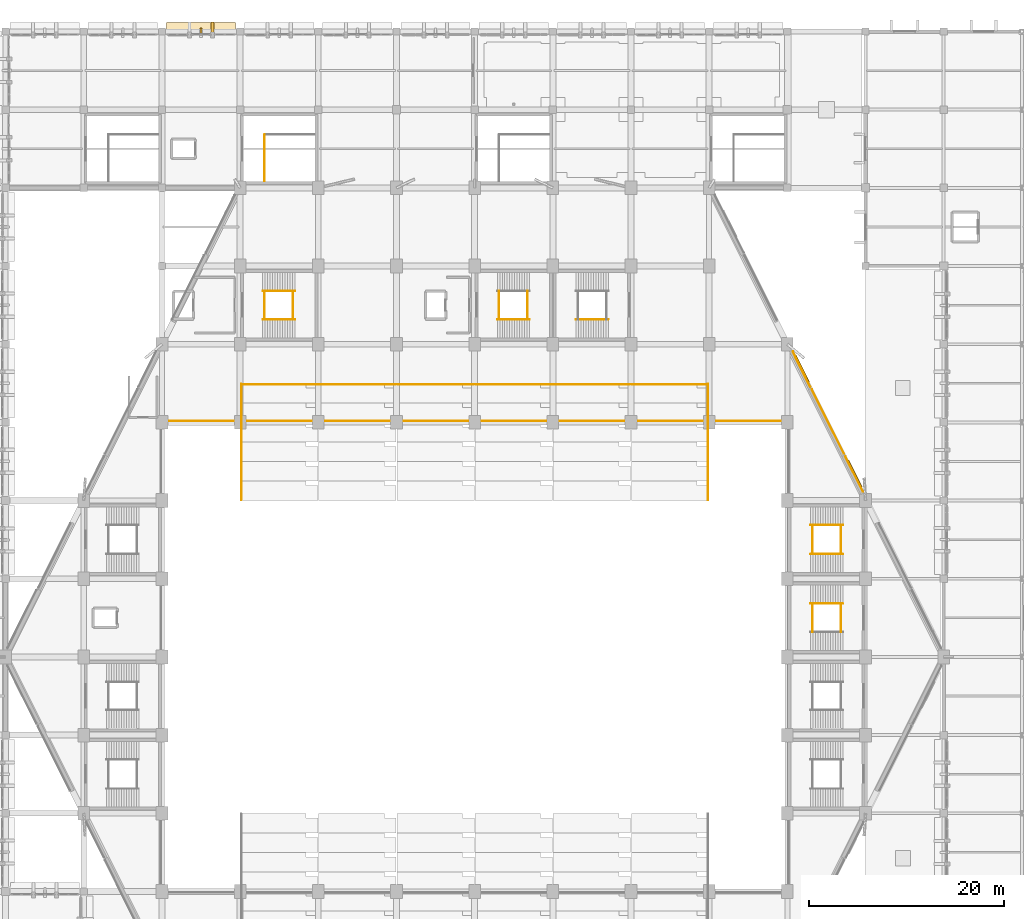
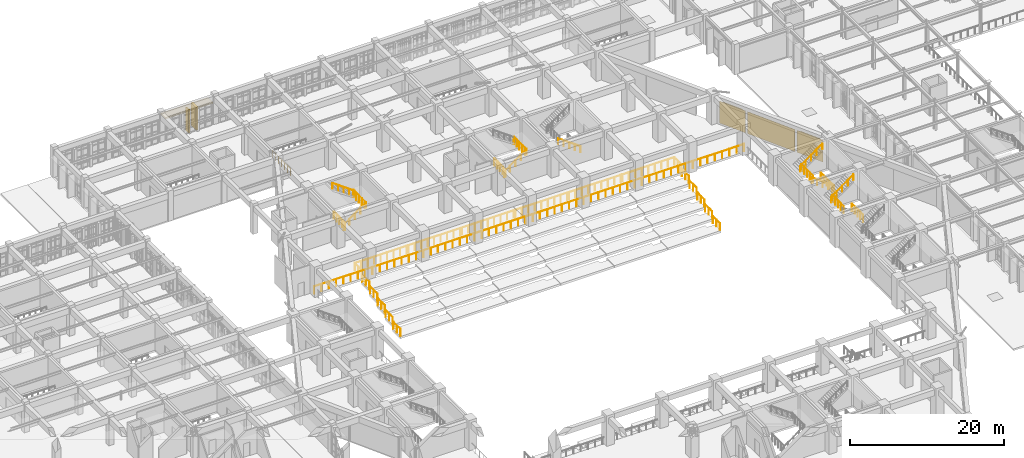
# One storey, part 152 of 155: 35 railings, 5 coverings, 3 shading devices.
"""IFC4 building model written with IfcOpenShell, lengths in metres."""

from ifc_helpers import new_model, si_unit, direction, frame, origin, origin_2d, place, context, subcontext, project, spatial, polyline, rectangle, circle, outline, extrude, material, layer, layer_set, type_object, element, save


model = new_model("IFC4")

# Units and contexts
model_context = context("Model", 3, precision=1e-05, world=origin(), true_north=direction((0.0, 1.0)))
body_context = subcontext(model_context, "Body", "Model", "MODEL_VIEW")
ifc_project = project(units=[si_unit("LENGTHUNIT", "METRE"), si_unit("AREAUNIT", "SQUARE_METRE"), si_unit("VOLUMEUNIT", "CUBIC_METRE"), si_unit("PLANEANGLEUNIT", "RADIAN"), si_unit("MASSUNIT", "GRAM", prefix="KILO")], contexts=[model_context])

# Site, building, storey
site_placement = place(None, origin())
site = spatial("IfcSite", under=ifc_project, at=site_placement, CompositionType="ELEMENT")
building_placement = place(site_placement, origin())
building = spatial("IfcBuilding", under=site, at=building_placement, Name="Tazarka Park Arena", CompositionType="ELEMENT")
storey_placement = place(building_placement, frame((0.0, 0.0, 5.39990234375)))
storey = spatial("IfcBuildingStorey", under=building, at=storey_placement, Name="L01", CompositionType="ELEMENT", Elevation=5.39990234375)

# Coverings
ifc_material_1 = material(Name="Dark ribbed perforated bronze-charcoal aluminium mesh", Category="aluminium")
ifc_layer_1 = layer(ifc_material_1, 0.06005859375, Name="Dark ribbed perforated bronze-charcoal aluminium mesh")
ifc_layer_set_1 = layer_set([ifc_layer_1], Name="Dark ribbed perforated bronze-charcoal aluminium mesh")
covering_type_1 = type_object("IfcCoveringType", Name="CLD-01", PredefinedType="CLADDING", material=ifc_layer_set_1)
covering_1_placement = place(storey_placement, frame((121.46044921875, 93.447998046875, 0.0), z_axis=(0.0, 0.0, 1.0), x_axis=(0.447290848419, -0.89438856037, 0.0)))
element("IfcCovering", 1, at=covering_1_placement, inside=storey, type_object=covering_type_1, Name="Ribbed Metal Mesh Cladding EW-L01-0166", PredefinedType="CLADDING", context=body_context, shape_type="SweptSolid", body=[
    extrude(rectangle(XDim=4.05078125, YDim=0.06005859375, at=origin_2d()), origin(), (0.0, 0.0, 1.0), 3.449951171875),
])
covering_2_placement = place(storey_placement, frame((124.156494140625, 88.078369140625, 0.0), z_axis=(0.0, 0.0, 1.0), x_axis=(0.447290848419, -0.89438856037, 0.0)))
element("IfcCovering", 2, at=covering_2_placement, inside=storey, type_object=covering_type_1, Name="Ribbed Metal Mesh Cladding EW-L01-0167", PredefinedType="CLADDING", context=body_context, shape_type="SweptSolid", body=[
    extrude(rectangle(XDim=7.36669921875, YDim=0.06005859375, at=origin_2d()), origin(), (0.0, 0.0, 1.0), 3.449951171875),
])
covering_3_placement = place(storey_placement, frame((126.8525390625, 82.70849609375, 0.0), z_axis=(0.0, 0.0, 1.0), x_axis=(0.447290848419, -0.89438856037, 0.0)))
element("IfcCovering", 3, at=covering_3_placement, inside=storey, type_object=covering_type_1, Name="Ribbed Metal Mesh Cladding EW-L01-0168", PredefinedType="CLADDING", context=body_context, shape_type="SweptSolid", body=[
    extrude(rectangle(XDim=4.05078125, YDim=0.06005859375, at=origin_2d()), origin(), (0.0, 0.0, 1.0), 3.449951171875),
])
covering_4_placement = place(storey_placement, frame((61.181640625, 128.330078125, 0.0), z_axis=(0.0, 0.0, 1.0), x_axis=(1.0, 0.0, 0.0)))
element("IfcCovering", 4, at=covering_4_placement, inside=storey, type_object=covering_type_1, Name="Brutalist Precast Brise-Soleil Blade L01-046-2", PredefinedType="CLADDING", context=body_context, shape_type="SweptSolid", body=[
    extrude(rectangle(XDim=0.320068359375, YDim=1.300048828125, at=origin_2d()), origin(), (0.0, 0.0, 1.0), 3.60009765625),
])

# Railings
ifc_material_2 = material(Name="Brushed architectural stainless steel", Category="steel")
railing_type_1 = type_object("IfcRailingType", Name="HR-01", PredefinedType="HANDRAIL", material=ifc_material_2)
railing_1_placement = place(storey_placement, frame((101.68505859375, 98.550048828125, 0.0)))
element("IfcRailing", 5, at=railing_1_placement, inside=storey, type_object=railing_type_1, Name="Stair Handrail ST10-L01-F1", PredefinedType="HANDRAIL", context=body_context, shape_type="SweptSolid", body=[
    extrude(circle(Radius=0.02392578125, at=origin_2d()), frame((0.0, 0.0, 0.89599609375), z_axis=(-0.809980229442, 0.0, 0.586457183359), x_axis=(0.0, -1.0, 0.0)), (0.0, 0.0, 1.0), 4.092529296875),
    extrude(circle(Radius=0.02099609375, at=origin_2d()), origin(), (0.0, 0.0, 1.0), 0.871826171875),
    extrude(circle(Radius=0.02099609375, at=origin_2d()), frame((-0.82861328125, 0.0, 0.60009765625)), (0.0, 0.0, 1.0), 0.871826171875),
    extrude(circle(Radius=0.02099609375, at=origin_2d()), frame((-1.657470703125, 0.0, 1.2001953125)), (0.0, 0.0, 1.0), 0.871826171875),
    extrude(circle(Radius=0.02099609375, at=origin_2d()), frame((-2.486328125, 0.0, 1.800048828125)), (0.0, 0.0, 1.0), 0.871826171875),
    extrude(circle(Radius=0.02099609375, at=origin_2d()), frame((-3.31494140625, 0.0, 2.400146484375)), (0.0, 0.0, 1.0), 0.871826171875),
])
railing_2_placement = place(storey_placement, frame((66.31494140625, 98.550048828125, 0.0)))
element("IfcRailing", 6, at=railing_2_placement, inside=storey, type_object=railing_type_1, Name="Stair Handrail ST14-L01-F1", PredefinedType="HANDRAIL", context=body_context, shape_type="SweptSolid", body=[
    extrude(circle(Radius=0.02392578125, at=origin_2d()), frame((0.0, 0.0, 0.89599609375), z_axis=(0.809980229442, 0.0, 0.586457183359), x_axis=(0.0, 1.0, 0.0)), (0.0, 0.0, 1.0), 4.092529296875),
    extrude(circle(Radius=0.02099609375, at=origin_2d()), origin(), (0.0, 0.0, 1.0), 0.871826171875),
    extrude(circle(Radius=0.02099609375, at=origin_2d()), frame((0.82861328125, 0.0, 0.60009765625)), (0.0, 0.0, 1.0), 0.871826171875),
    extrude(circle(Radius=0.02099609375, at=origin_2d()), frame((1.657470703125, 0.0, 1.2001953125)), (0.0, 0.0, 1.0), 0.871826171875),
    extrude(circle(Radius=0.02099609375, at=origin_2d()), frame((2.486328125, 0.0, 1.800048828125)), (0.0, 0.0, 1.0), 0.871826171875),
    extrude(circle(Radius=0.02099609375, at=origin_2d()), frame((3.31494140625, 0.0, 2.400146484375)), (0.0, 0.0, 1.0), 0.871826171875),
])
railing_3_placement = place(storey_placement, frame((69.6298828125, 101.449951171875, 2.400146484375)))
element("IfcRailing", 7, at=railing_3_placement, inside=storey, type_object=railing_type_1, Name="Stair Handrail ST14-L01-F2", PredefinedType="HANDRAIL", context=body_context, shape_type="SweptSolid", body=[
    extrude(circle(Radius=0.02392578125, at=origin_2d()), frame((0.0, 0.0, 0.89599609375), z_axis=(-0.810008566192, 0.0, 0.586418044312), x_axis=(0.0, -1.0, 0.0)), (0.0, 0.0, 1.0), 4.092529296875),
    extrude(circle(Radius=0.02099609375, at=origin_2d()), origin(), (0.0, 0.0, 1.0), 0.871826171875),
    extrude(circle(Radius=0.02099609375, at=origin_2d()), frame((-0.82861328125, 0.0, 0.60009765625)), (0.0, 0.0, 1.0), 0.871826171875),
    extrude(circle(Radius=0.02099609375, at=origin_2d()), frame((-1.657470703125, 0.0, 1.199951171875)), (0.0, 0.0, 1.0), 0.871826171875),
    extrude(circle(Radius=0.02099609375, at=origin_2d()), frame((-2.486328125, 0.0, 1.7998046875)), (0.0, 0.0, 1.0), 0.871826171875),
    extrude(circle(Radius=0.02099609375, at=origin_2d()), frame((-3.31494140625, 0.0, 2.39990234375)), (0.0, 0.0, 1.0), 0.871826171875),
])
railing_4_placement = place(storey_placement, frame((90.31494140625, 98.550048828125, 0.0)))
element("IfcRailing", 8, at=railing_4_placement, inside=storey, type_object=railing_type_1, Name="Stair Handrail ST15-L01-F1", PredefinedType="HANDRAIL", context=body_context, shape_type="SweptSolid", body=[
    extrude(circle(Radius=0.02392578125, at=origin_2d()), frame((0.0, 0.0, 0.89599609375), z_axis=(0.809980229442, 0.0, 0.586457183359), x_axis=(0.0, 1.0, 0.0)), (0.0, 0.0, 1.0), 4.092529296875),
    extrude(circle(Radius=0.02099609375, at=origin_2d()), origin(), (0.0, 0.0, 1.0), 0.871826171875),
    extrude(circle(Radius=0.02099609375, at=origin_2d()), frame((0.82861328125, 0.0, 0.60009765625)), (0.0, 0.0, 1.0), 0.871826171875),
    extrude(circle(Radius=0.02099609375, at=origin_2d()), frame((1.657470703125, 0.0, 1.2001953125)), (0.0, 0.0, 1.0), 0.871826171875),
    extrude(circle(Radius=0.02099609375, at=origin_2d()), frame((2.486328125, 0.0, 1.800048828125)), (0.0, 0.0, 1.0), 0.871826171875),
    extrude(circle(Radius=0.02099609375, at=origin_2d()), frame((3.31494140625, 0.0, 2.400146484375)), (0.0, 0.0, 1.0), 0.871826171875),
])
railing_5_placement = place(storey_placement, frame((122.3701171875, 69.449951171875, 2.400146484375)))
element("IfcRailing", 9, at=railing_5_placement, inside=storey, type_object=railing_type_1, Name="Stair Handrail ST16-L01-F2", PredefinedType="HANDRAIL", context=body_context, shape_type="SweptSolid", body=[
    extrude(circle(Radius=0.02392578125, at=origin_2d()), frame((0.0, 0.0, 0.89599609375), z_axis=(0.810008566192, 0.0, 0.586418044312), x_axis=(0.0, 1.0, 0.0)), (0.0, 0.0, 1.0), 4.092529296875),
    extrude(circle(Radius=0.02099609375, at=origin_2d()), origin(), (0.0, 0.0, 1.0), 0.871826171875),
    extrude(circle(Radius=0.02099609375, at=origin_2d()), frame((0.82861328125, 0.0, 0.60009765625)), (0.0, 0.0, 1.0), 0.871826171875),
    extrude(circle(Radius=0.02099609375, at=origin_2d()), frame((1.657470703125, 0.0, 1.199951171875)), (0.0, 0.0, 1.0), 0.871826171875),
    extrude(circle(Radius=0.02099609375, at=origin_2d()), frame((2.486328125, 0.0, 1.7998046875)), (0.0, 0.0, 1.0), 0.871826171875),
    extrude(circle(Radius=0.02099609375, at=origin_2d()), frame((3.31494140625, 0.0, 2.39990234375)), (0.0, 0.0, 1.0), 0.871826171875),
])
railing_6_placement = place(storey_placement, frame((125.68505859375, 74.510009765625, 0.0)))
element("IfcRailing", 10, at=railing_6_placement, inside=storey, type_object=railing_type_1, Name="Stair Handrail ST22-L01-F1", PredefinedType="HANDRAIL", context=body_context, shape_type="SweptSolid", body=[
    extrude(circle(Radius=0.02392578125, at=origin_2d()), frame((0.0, 0.0, 0.89599609375), z_axis=(-0.809980229442, 0.0, 0.586457183359), x_axis=(0.0, -1.0, 0.0)), (0.0, 0.0, 1.0), 4.092529296875),
    extrude(circle(Radius=0.02099609375, at=origin_2d()), origin(), (0.0, 0.0, 1.0), 0.871826171875),
    extrude(circle(Radius=0.02099609375, at=origin_2d()), frame((-0.82861328125, 0.0, 0.60009765625)), (0.0, 0.0, 1.0), 0.871826171875),
    extrude(circle(Radius=0.02099609375, at=origin_2d()), frame((-1.657470703125, 0.0, 1.2001953125)), (0.0, 0.0, 1.0), 0.871826171875),
    extrude(circle(Radius=0.02099609375, at=origin_2d()), frame((-2.486328125, 0.0, 1.800048828125)), (0.0, 0.0, 1.0), 0.871826171875),
    extrude(circle(Radius=0.02099609375, at=origin_2d()), frame((-3.31494140625, 0.0, 2.400146484375)), (0.0, 0.0, 1.0), 0.871826171875),
])
railing_7_placement = place(storey_placement, frame((122.3701171875, 77.489990234375, 2.400146484375)))
element("IfcRailing", 11, at=railing_7_placement, inside=storey, type_object=railing_type_1, Name="Stair Handrail ST22-L01-F2", PredefinedType="HANDRAIL", context=body_context, shape_type="SweptSolid", body=[
    extrude(circle(Radius=0.02392578125, at=origin_2d()), frame((0.0, 0.0, 0.89599609375), z_axis=(0.810008566192, 0.0, 0.586418044312), x_axis=(0.0, 1.0, 0.0)), (0.0, 0.0, 1.0), 4.092529296875),
    extrude(circle(Radius=0.02099609375, at=origin_2d()), origin(), (0.0, 0.0, 1.0), 0.871826171875),
    extrude(circle(Radius=0.02099609375, at=origin_2d()), frame((0.82861328125, 0.0, 0.60009765625)), (0.0, 0.0, 1.0), 0.871826171875),
    extrude(circle(Radius=0.02099609375, at=origin_2d()), frame((1.657470703125, 0.0, 1.199951171875)), (0.0, 0.0, 1.0), 0.871826171875),
    extrude(circle(Radius=0.02099609375, at=origin_2d()), frame((2.486328125, 0.0, 1.7998046875)), (0.0, 0.0, 1.0), 0.871826171875),
    extrude(circle(Radius=0.02099609375, at=origin_2d()), frame((3.31494140625, 0.0, 2.39990234375)), (0.0, 0.0, 1.0), 0.871826171875),
])
ifc_material_3 = material(Name="Galvanised powder-coated architectural steel", Category="steel")
railing_type_2 = type_object("IfcRailingType", Name="IGR-01", PredefinedType="GUARDRAIL", material=ifc_material_3)
railing_8_placement = place(storey_placement, frame((66.514892578125, 112.679931640625, 0.0)))
element("IfcRailing", 12, at=railing_8_placement, inside=storey, type_object=railing_type_2, Name="Stair Well Guardrail ST06-L01", PredefinedType="GUARDRAIL", context=body_context, shape_type="SweptSolid", body=[
    extrude(circle(Radius=0.02392578125, at=origin_2d()), frame((0.0, 0.0, 1.1259765625), z_axis=(0.0, 1.0, 0.0), x_axis=(-1.0, 0.0, 0.0)), (0.0, 0.0, 1.0), 4.77001953125),
    extrude(circle(Radius=0.02099609375, at=origin_2d()), origin(), (0.0, 0.0, 1.0), 1.101806640625),
    extrude(circle(Radius=0.02099609375, at=origin_2d()), frame((0.0, 0.794921875, 0.0)), (0.0, 0.0, 1.0), 1.101806640625),
    extrude(circle(Radius=0.02099609375, at=origin_2d()), frame((0.0, 1.590087890625, 0.0)), (0.0, 0.0, 1.0), 1.101806640625),
    extrude(circle(Radius=0.02099609375, at=origin_2d()), frame((0.0, 2.385009765625, 0.0)), (0.0, 0.0, 1.0), 1.101806640625),
    extrude(circle(Radius=0.02099609375, at=origin_2d()), frame((0.0, 3.179931640625, 0.0)), (0.0, 0.0, 1.0), 1.101806640625),
    extrude(circle(Radius=0.02099609375, at=origin_2d()), frame((0.0, 3.97509765625, 0.0)), (0.0, 0.0, 1.0), 1.101806640625),
    extrude(circle(Radius=0.02099609375, at=origin_2d()), frame((0.0, 4.77001953125, 0.0)), (0.0, 0.0, 1.0), 1.101806640625),
])
for number, where, name in (
    (13, (66.514892578125, 98.550048828125, 0.0), "Stair Well Guardrail ST14-L01"),
    (14, (69.429931640625, 98.550048828125, 2.400146484375), "Landing Guardrail ST14-L01-M"),
    (15, (90.514892578125, 98.550048828125, 0.0), "Stair Well Guardrail ST15-L01"),
    (16, (93.429931640625, 98.550048828125, 2.400146484375), "Landing Guardrail ST15-L01-M"),
    (17, (125.485107421875, 66.550048828125, 0.0), "Stair Well Guardrail ST16-L01"),
    (18, (122.570068359375, 66.550048828125, 2.400146484375), "Landing Guardrail ST16-L01-M"),
):
    element("IfcRailing", number, at=place(storey_placement, frame(where)), inside=storey, type_object=railing_type_2, Name=name, PredefinedType="GUARDRAIL", context=body_context, shape_type="SweptSolid", body=[
        extrude(circle(Radius=0.02392578125, at=origin_2d()), frame((0.0, 0.0, 1.1259765625), z_axis=(0.0, 1.0, 0.0), x_axis=(-1.0, 0.0, 0.0)), (0.0, 0.0, 1.0), 2.89990234375),
        extrude(circle(Radius=0.02099609375, at=origin_2d()), origin(), (0.0, 0.0, 1.0), 1.101806640625),
        extrude(circle(Radius=0.02099609375, at=origin_2d()), frame((0.0, 0.72509765625, 0.0)), (0.0, 0.0, 1.0), 1.101806640625),
        extrude(circle(Radius=0.02099609375, at=origin_2d()), frame((0.0, 1.449951171875, 0.0)), (0.0, 0.0, 1.0), 1.101806640625),
        extrude(circle(Radius=0.02099609375, at=origin_2d()), frame((0.0, 2.1748046875, 0.0)), (0.0, 0.0, 1.0), 1.101806640625),
        extrude(circle(Radius=0.02099609375, at=origin_2d()), frame((0.0, 2.89990234375, 0.0)), (0.0, 0.0, 1.0), 1.101806640625),
    ])
for number, where, name in (
    (19, (125.485107421875, 74.510009765625, 0.0), "Stair Well Guardrail ST22-L01"),
    (20, (122.570068359375, 74.510009765625, 2.400146484375), "Landing Guardrail ST22-L01-M"),
):
    element("IfcRailing", number, at=place(storey_placement, frame(where)), inside=storey, type_object=railing_type_2, Name=name, PredefinedType="GUARDRAIL", context=body_context, shape_type="SweptSolid", body=[
        extrude(circle(Radius=0.02392578125, at=origin_2d()), frame((0.0, 0.0, 1.1259765625), z_axis=(0.0, 1.0, 0.0), x_axis=(-1.0, 0.0, 0.0)), (0.0, 0.0, 1.0), 2.97998046875),
        extrude(circle(Radius=0.02099609375, at=origin_2d()), origin(), (0.0, 0.0, 1.0), 1.101806640625),
        extrude(circle(Radius=0.02099609375, at=origin_2d()), frame((0.0, 0.7451171875, 0.0)), (0.0, 0.0, 1.0), 1.101806640625),
        extrude(circle(Radius=0.02099609375, at=origin_2d()), frame((0.0, 1.489990234375, 0.0)), (0.0, 0.0, 1.0), 1.101806640625),
        extrude(circle(Radius=0.02099609375, at=origin_2d()), frame((0.0, 2.23486328125, 0.0)), (0.0, 0.0, 1.0), 1.101806640625),
        extrude(circle(Radius=0.02099609375, at=origin_2d()), frame((0.0, 2.97998046875, 0.0)), (0.0, 0.0, 1.0), 1.101806640625),
    ])
railing_9_placement = place(storey_placement, frame((55.8798828125, 88.1201171875, 0.0)))
element("IfcRailing", 21, at=railing_9_placement, inside=storey, type_object=railing_type_2, Name="Interior Barrier Guardrail IGR-01-004", PredefinedType="GUARDRAIL", context=body_context, shape_type="SweptSolid", body=[
    extrude(circle(Radius=0.02392578125, at=origin_2d()), frame((0.0, 0.0, 1.1259765625), z_axis=(1.0, 0.0, 0.0), x_axis=(0.0, 1.0, 0.0)), (0.0, 0.0, 1.0), 64.240234375),
    extrude(circle(Radius=0.02099609375, at=origin_2d()), origin(), (0.0, 0.0, 1.0), 1.101806640625),
    extrude(circle(Radius=0.02099609375, at=origin_2d()), frame((1.0888671875, 0.0, 0.0)), (0.0, 0.0, 1.0), 1.101806640625),
    extrude(circle(Radius=0.02099609375, at=origin_2d()), frame((2.177734375, 0.0, 0.0)), (0.0, 0.0, 1.0), 1.101806640625),
    extrude(circle(Radius=0.02099609375, at=origin_2d()), frame((3.266357421875, 0.0, 0.0)), (0.0, 0.0, 1.0), 1.101806640625),
    extrude(circle(Radius=0.02099609375, at=origin_2d()), frame((4.355224609375, 0.0, 0.0)), (0.0, 0.0, 1.0), 1.101806640625),
    extrude(circle(Radius=0.02099609375, at=origin_2d()), frame((5.444091796875, 0.0, 0.0)), (0.0, 0.0, 1.0), 1.101806640625),
    extrude(circle(Radius=0.02099609375, at=origin_2d()), frame((6.532958984375, 0.0, 0.0)), (0.0, 0.0, 1.0), 1.101806640625),
    extrude(circle(Radius=0.02099609375, at=origin_2d()), frame((7.621826171875, 0.0, 0.0)), (0.0, 0.0, 1.0), 1.101806640625),
    extrude(circle(Radius=0.02099609375, at=origin_2d()), frame((8.71044921875, 0.0, 0.0)), (0.0, 0.0, 1.0), 1.101806640625),
    extrude(circle(Radius=0.02099609375, at=origin_2d()), frame((9.79931640625, 0.0, 0.0)), (0.0, 0.0, 1.0), 1.101806640625),
    extrude(circle(Radius=0.02099609375, at=origin_2d()), frame((10.88818359375, 0.0, 0.0)), (0.0, 0.0, 1.0), 1.101806640625),
    extrude(circle(Radius=0.02099609375, at=origin_2d()), frame((11.97705078125, 0.0, 0.0)), (0.0, 0.0, 1.0), 1.101806640625),
    extrude(circle(Radius=0.02099609375, at=origin_2d()), frame((13.06591796875, 0.0, 0.0)), (0.0, 0.0, 1.0), 1.101806640625),
    extrude(circle(Radius=0.02099609375, at=origin_2d()), frame((14.154541015625, 0.0, 0.0)), (0.0, 0.0, 1.0), 1.101806640625),
    extrude(circle(Radius=0.02099609375, at=origin_2d()), frame((15.243408203125, 0.0, 0.0)), (0.0, 0.0, 1.0), 1.101806640625),
    extrude(circle(Radius=0.02099609375, at=origin_2d()), frame((16.332275390625, 0.0, 0.0)), (0.0, 0.0, 1.0), 1.101806640625),
    extrude(circle(Radius=0.02099609375, at=origin_2d()), frame((17.421142578125, 0.0, 0.0)), (0.0, 0.0, 1.0), 1.101806640625),
    extrude(circle(Radius=0.02099609375, at=origin_2d()), frame((18.510009765625, 0.0, 0.0)), (0.0, 0.0, 1.0), 1.101806640625),
    extrude(circle(Radius=0.02099609375, at=origin_2d()), frame((19.5986328125, 0.0, 0.0)), (0.0, 0.0, 1.0), 1.101806640625),
    extrude(circle(Radius=0.02099609375, at=origin_2d()), frame((20.6875, 0.0, 0.0)), (0.0, 0.0, 1.0), 1.101806640625),
    extrude(circle(Radius=0.02099609375, at=origin_2d()), frame((21.7763671875, 0.0, 0.0)), (0.0, 0.0, 1.0), 1.101806640625),
    extrude(circle(Radius=0.02099609375, at=origin_2d()), frame((22.865234375, 0.0, 0.0)), (0.0, 0.0, 1.0), 1.101806640625),
    extrude(circle(Radius=0.02099609375, at=origin_2d()), frame((23.9541015625, 0.0, 0.0)), (0.0, 0.0, 1.0), 1.101806640625),
    extrude(circle(Radius=0.02099609375, at=origin_2d()), frame((25.042724609375, 0.0, 0.0)), (0.0, 0.0, 1.0), 1.101806640625),
    extrude(circle(Radius=0.02099609375, at=origin_2d()), frame((26.131591796875, 0.0, 0.0)), (0.0, 0.0, 1.0), 1.101806640625),
    extrude(circle(Radius=0.02099609375, at=origin_2d()), frame((27.220458984375, 0.0, 0.0)), (0.0, 0.0, 1.0), 1.101806640625),
    extrude(circle(Radius=0.02099609375, at=origin_2d()), frame((28.309326171875, 0.0, 0.0)), (0.0, 0.0, 1.0), 1.101806640625),
    extrude(circle(Radius=0.02099609375, at=origin_2d()), frame((29.398193359375, 0.0, 0.0)), (0.0, 0.0, 1.0), 1.101806640625),
    extrude(circle(Radius=0.02099609375, at=origin_2d()), frame((30.48681640625, 0.0, 0.0)), (0.0, 0.0, 1.0), 1.101806640625),
    extrude(circle(Radius=0.02099609375, at=origin_2d()), frame((31.57568359375, 0.0, 0.0)), (0.0, 0.0, 1.0), 1.101806640625),
    extrude(circle(Radius=0.02099609375, at=origin_2d()), frame((32.66455078125, 0.0, 0.0)), (0.0, 0.0, 1.0), 1.101806640625),
    extrude(circle(Radius=0.02099609375, at=origin_2d()), frame((33.75341796875, 0.0, 0.0)), (0.0, 0.0, 1.0), 1.101806640625),
    extrude(circle(Radius=0.02099609375, at=origin_2d()), frame((34.842041015625, 0.0, 0.0)), (0.0, 0.0, 1.0), 1.101806640625),
    extrude(circle(Radius=0.02099609375, at=origin_2d()), frame((35.930908203125, 0.0, 0.0)), (0.0, 0.0, 1.0), 1.101806640625),
    extrude(circle(Radius=0.02099609375, at=origin_2d()), frame((37.019775390625, 0.0, 0.0)), (0.0, 0.0, 1.0), 1.101806640625),
    extrude(circle(Radius=0.02099609375, at=origin_2d()), frame((38.108642578125, 0.0, 0.0)), (0.0, 0.0, 1.0), 1.101806640625),
    extrude(circle(Radius=0.02099609375, at=origin_2d()), frame((39.197509765625, 0.0, 0.0)), (0.0, 0.0, 1.0), 1.101806640625),
    extrude(circle(Radius=0.02099609375, at=origin_2d()), frame((40.2861328125, 0.0, 0.0)), (0.0, 0.0, 1.0), 1.101806640625),
    extrude(circle(Radius=0.02099609375, at=origin_2d()), frame((41.375, 0.0, 0.0)), (0.0, 0.0, 1.0), 1.101806640625),
    extrude(circle(Radius=0.02099609375, at=origin_2d()), frame((42.4638671875, 0.0, 0.0)), (0.0, 0.0, 1.0), 1.101806640625),
    extrude(circle(Radius=0.02099609375, at=origin_2d()), frame((43.552734375, 0.0, 0.0)), (0.0, 0.0, 1.0), 1.101806640625),
    extrude(circle(Radius=0.02099609375, at=origin_2d()), frame((44.6416015625, 0.0, 0.0)), (0.0, 0.0, 1.0), 1.101806640625),
    extrude(circle(Radius=0.02099609375, at=origin_2d()), frame((45.730224609375, 0.0, 0.0)), (0.0, 0.0, 1.0), 1.101806640625),
    extrude(circle(Radius=0.02099609375, at=origin_2d()), frame((46.819091796875, 0.0, 0.0)), (0.0, 0.0, 1.0), 1.101806640625),
    extrude(circle(Radius=0.02099609375, at=origin_2d()), frame((47.907958984375, 0.0, 0.0)), (0.0, 0.0, 1.0), 1.101806640625),
    extrude(circle(Radius=0.02099609375, at=origin_2d()), frame((48.996826171875, 0.0, 0.0)), (0.0, 0.0, 1.0), 1.101806640625),
    extrude(circle(Radius=0.02099609375, at=origin_2d()), frame((50.085693359375, 0.0, 0.0)), (0.0, 0.0, 1.0), 1.101806640625),
    extrude(circle(Radius=0.02099609375, at=origin_2d()), frame((51.17431640625, 0.0, 0.0)), (0.0, 0.0, 1.0), 1.101806640625),
    extrude(circle(Radius=0.02099609375, at=origin_2d()), frame((52.26318359375, 0.0, 0.0)), (0.0, 0.0, 1.0), 1.101806640625),
    extrude(circle(Radius=0.02099609375, at=origin_2d()), frame((53.35205078125, 0.0, 0.0)), (0.0, 0.0, 1.0), 1.101806640625),
    extrude(circle(Radius=0.02099609375, at=origin_2d()), frame((54.44091796875, 0.0, 0.0)), (0.0, 0.0, 1.0), 1.101806640625),
    extrude(circle(Radius=0.02099609375, at=origin_2d()), frame((55.52978515625, 0.0, 0.0)), (0.0, 0.0, 1.0), 1.101806640625),
    extrude(circle(Radius=0.02099609375, at=origin_2d()), frame((56.618408203125, 0.0, 0.0)), (0.0, 0.0, 1.0), 1.101806640625),
    extrude(circle(Radius=0.02099609375, at=origin_2d()), frame((57.707275390625, 0.0, 0.0)), (0.0, 0.0, 1.0), 1.101806640625),
    extrude(circle(Radius=0.02099609375, at=origin_2d()), frame((58.796142578125, 0.0, 0.0)), (0.0, 0.0, 1.0), 1.101806640625),
    extrude(circle(Radius=0.02099609375, at=origin_2d()), frame((59.885009765625, 0.0, 0.0)), (0.0, 0.0, 1.0), 1.101806640625),
    extrude(circle(Radius=0.02099609375, at=origin_2d()), frame((60.973876953125, 0.0, 0.0)), (0.0, 0.0, 1.0), 1.101806640625),
    extrude(circle(Radius=0.02099609375, at=origin_2d()), frame((62.0625, 0.0, 0.0)), (0.0, 0.0, 1.0), 1.101806640625),
    extrude(circle(Radius=0.02099609375, at=origin_2d()), frame((63.1513671875, 0.0, 0.0)), (0.0, 0.0, 1.0), 1.101806640625),
    extrude(circle(Radius=0.02099609375, at=origin_2d()), frame((64.240234375, 0.0, 0.0)), (0.0, 0.0, 1.0), 1.101806640625),
])
for number, where, name in (
    (22, (64.1201171875, 80.080078125, -4.75), "Interior Barrier Guardrail IGR-01-073"),
    (23, (111.8798828125, 80.080078125, -4.75), "Interior Barrier Guardrail IGR-01-074"),
    (24, (64.1201171875, 82.080078125, -4.099853515625), "Interior Barrier Guardrail IGR-01-075"),
    (25, (111.8798828125, 82.080078125, -4.099853515625), "Interior Barrier Guardrail IGR-01-076"),
    (26, (64.1201171875, 84.080078125, -3.449951171875), "Interior Barrier Guardrail IGR-01-077"),
    (27, (111.8798828125, 84.080078125, -3.449951171875), "Interior Barrier Guardrail IGR-01-078"),
    (28, (64.1201171875, 86.080078125, -2.7998046875), "Interior Barrier Guardrail IGR-01-079"),
    (29, (111.8798828125, 86.080078125, -2.7998046875), "Interior Barrier Guardrail IGR-01-080"),
    (30, (64.1201171875, 88.080078125, -2.14990234375), "Interior Barrier Guardrail IGR-01-081"),
    (31, (111.8798828125, 88.080078125, -2.14990234375), "Interior Barrier Guardrail IGR-01-082"),
    (32, (64.1201171875, 90.080078125, -1.5), "Interior Barrier Guardrail IGR-01-083"),
):
    element("IfcRailing", number, at=place(storey_placement, frame(where)), inside=storey, type_object=railing_type_2, Name=name, PredefinedType="GUARDRAIL", context=body_context, shape_type="SweptSolid", body=[
        extrude(circle(Radius=0.02392578125, at=origin_2d()), frame((0.0, 0.0, 1.1259765625), z_axis=(0.0, 1.0, 0.0), x_axis=(-1.0, 0.0, 0.0)), (0.0, 0.0, 1.0), 1.83984375),
        extrude(circle(Radius=0.02099609375, at=origin_2d()), origin(), (0.0, 0.0, 1.0), 1.101806640625),
        extrude(circle(Radius=0.02099609375, at=origin_2d()), frame((0.0, 0.919921875, 0.0)), (0.0, 0.0, 1.0), 1.101806640625),
        extrude(circle(Radius=0.02099609375, at=origin_2d()), frame((0.0, 1.83984375, 0.0)), (0.0, 0.0, 1.0), 1.101806640625),
    ])
for number, where, name in (
    (33, (64.1201171875, 91.89990234375, -1.5), "Interior Barrier Guardrail IGR-01-084"),
    (34, (72.1201171875, 91.89990234375, -1.5), "Interior Barrier Guardrail IGR-01-085"),
    (35, (80.1201171875, 91.89990234375, -1.5), "Interior Barrier Guardrail IGR-01-086"),
    (36, (88.1201171875, 91.89990234375, -1.5), "Interior Barrier Guardrail IGR-01-087"),
    (37, (96.1201171875, 91.89990234375, -1.5), "Interior Barrier Guardrail IGR-01-088"),
):
    element("IfcRailing", number, at=place(storey_placement, frame(where)), inside=storey, type_object=railing_type_2, Name=name, PredefinedType="GUARDRAIL", context=body_context, shape_type="SweptSolid", body=[
        extrude(circle(Radius=0.02392578125, at=origin_2d()), frame((0.0, 0.0, 1.1259765625), z_axis=(1.0, 0.0, 0.0), x_axis=(0.0, 1.0, 0.0)), (0.0, 0.0, 1.0), 7.759765625),
        extrude(circle(Radius=0.02099609375, at=origin_2d()), origin(), (0.0, 0.0, 1.0), 1.101806640625),
        extrude(circle(Radius=0.02099609375, at=origin_2d()), frame((0.969970703125, 0.0, 0.0)), (0.0, 0.0, 1.0), 1.101806640625),
        extrude(circle(Radius=0.02099609375, at=origin_2d()), frame((1.93994140625, 0.0, 0.0)), (0.0, 0.0, 1.0), 1.101806640625),
        extrude(circle(Radius=0.02099609375, at=origin_2d()), frame((2.909912109375, 0.0, 0.0)), (0.0, 0.0, 1.0), 1.101806640625),
        extrude(circle(Radius=0.02099609375, at=origin_2d()), frame((3.8798828125, 0.0, 0.0)), (0.0, 0.0, 1.0), 1.101806640625),
        extrude(circle(Radius=0.02099609375, at=origin_2d()), frame((4.849853515625, 0.0, 0.0)), (0.0, 0.0, 1.0), 1.101806640625),
        extrude(circle(Radius=0.02099609375, at=origin_2d()), frame((5.81982421875, 0.0, 0.0)), (0.0, 0.0, 1.0), 1.101806640625),
        extrude(circle(Radius=0.02099609375, at=origin_2d()), frame((6.789794921875, 0.0, 0.0)), (0.0, 0.0, 1.0), 1.101806640625),
        extrude(circle(Radius=0.02099609375, at=origin_2d()), frame((7.759765625, 0.0, 0.0)), (0.0, 0.0, 1.0), 1.101806640625),
    ])
railing_10_placement = place(storey_placement, frame((111.8798828125, 90.080078125, -1.5)))
element("IfcRailing", 38, at=railing_10_placement, inside=storey, type_object=railing_type_2, Name="Interior Barrier Guardrail IGR-01-089", PredefinedType="GUARDRAIL", context=body_context, shape_type="SweptSolid", body=[
    extrude(circle(Radius=0.02392578125, at=origin_2d()), frame((0.0, 0.0, 1.1259765625), z_axis=(0.0, 1.0, 0.0), x_axis=(-1.0, 0.0, 0.0)), (0.0, 0.0, 1.0), 1.83984375),
    extrude(circle(Radius=0.02099609375, at=origin_2d()), origin(), (0.0, 0.0, 1.0), 1.101806640625),
    extrude(circle(Radius=0.02099609375, at=origin_2d()), frame((0.0, 0.919921875, 0.0)), (0.0, 0.0, 1.0), 1.101806640625),
    extrude(circle(Radius=0.02099609375, at=origin_2d()), frame((0.0, 1.83984375, 0.0)), (0.0, 0.0, 1.0), 1.101806640625),
])
railing_11_placement = place(storey_placement, frame((104.1201171875, 91.89990234375, -1.5)))
element("IfcRailing", 39, at=railing_11_placement, inside=storey, type_object=railing_type_2, Name="Interior Barrier Guardrail IGR-01-090", PredefinedType="GUARDRAIL", context=body_context, shape_type="SweptSolid", body=[
    extrude(circle(Radius=0.02392578125, at=origin_2d()), frame((0.0, 0.0, 1.1259765625), z_axis=(1.0, 0.0, 0.0), x_axis=(0.0, 1.0, 0.0)), (0.0, 0.0, 1.0), 7.759765625),
    extrude(circle(Radius=0.02099609375, at=origin_2d()), origin(), (0.0, 0.0, 1.0), 1.101806640625),
    extrude(circle(Radius=0.02099609375, at=origin_2d()), frame((0.969970703125, 0.0, 0.0)), (0.0, 0.0, 1.0), 1.101806640625),
    extrude(circle(Radius=0.02099609375, at=origin_2d()), frame((1.93994140625, 0.0, 0.0)), (0.0, 0.0, 1.0), 1.101806640625),
    extrude(circle(Radius=0.02099609375, at=origin_2d()), frame((2.909912109375, 0.0, 0.0)), (0.0, 0.0, 1.0), 1.101806640625),
    extrude(circle(Radius=0.02099609375, at=origin_2d()), frame((3.8798828125, 0.0, 0.0)), (0.0, 0.0, 1.0), 1.101806640625),
    extrude(circle(Radius=0.02099609375, at=origin_2d()), frame((4.849853515625, 0.0, 0.0)), (0.0, 0.0, 1.0), 1.101806640625),
    extrude(circle(Radius=0.02099609375, at=origin_2d()), frame((5.81982421875, 0.0, 0.0)), (0.0, 0.0, 1.0), 1.101806640625),
    extrude(circle(Radius=0.02099609375, at=origin_2d()), frame((6.789794921875, 0.0, 0.0)), (0.0, 0.0, 1.0), 1.101806640625),
    extrude(circle(Radius=0.02099609375, at=origin_2d()), frame((7.759765625, 0.0, 0.0)), (0.0, 0.0, 1.0), 1.101806640625),
])

# Covering
ifc_material_4 = material(Name="Standing-seam acoustic aluminium roofing membrane", Category="aluminium")
ifc_layer_2 = layer(ifc_material_4, 0.050048828125, Name="Standing-seam acoustic aluminium roofing membrane")
ifc_layer_set_2 = layer_set([ifc_layer_2], Name="Standing-seam acoustic aluminium roofing membrane")
covering_type_2 = type_object("IfcCoveringType", Name="RFG-01", PredefinedType="ROOFING", material=ifc_layer_set_2)
covering_5_placement = place(storey_placement, frame((0.0, 0.0, 3.360107421875)))
element("IfcCovering", 40, at=covering_5_placement, inside=storey, type_object=covering_type_2, Name="Brutalist Sun-Hood Overhang L01-046", PredefinedType="ROOFING", context=body_context, shape_type="SweptSolid", body=[
    extrude(outline(polyline([(56.455078125, 127.679931640625), (63.544921875, 127.679931640625), (63.544921875, 128.929931640625), (56.455078125, 128.929931640625), (56.455078125, 127.679931640625)])), origin(), (0.0, 0.0, 1.0), 0.219970703125),
])

# Shading devices
ifc_material_5 = material(Name="Precast concrete C40/50", Category="concrete")
shading_device_type_1 = type_object("IfcShadingDeviceType", Name="SHD-01", PredefinedType="SHUTTER", material=ifc_material_5)
shading_device_placement = place(storey_placement, frame((60.0, 128.02001953125, -0.0400390625), z_axis=(0.0, 0.0, 1.0), x_axis=(1.0, 0.0, 0.0)))
element("IfcShadingDevice", 41, at=shading_device_placement, inside=storey, type_object=shading_device_type_1, Name="Brise-Soleil Fin BS-016", PredefinedType="SHUTTER", context=body_context, shape_type="SweptSolid", body=[
    extrude(rectangle(XDim=0.219970703125, YDim=0.719970703125, at=origin_2d()), origin(), (0.0, 0.0, 1.0), 3.679931640625),
])
ifc_material_6 = material(Name="Dark ribbed perforated bronze-charcoal aluminium mesh", Category="aluminium")
shading_device_type_2 = type_object("IfcShadingDeviceType", Name="SHD-02", PredefinedType="JALOUSIE", material=ifc_material_6)
for number, where, z_axis, x_axis, name in (
    (42, (121.51416015625, 93.474853515625, 0.0), (0.0, 0.0, 1.0), (0.447290848419, -0.89438856037, 0.0), "Perforated Mesh Screen EW-L01-0166"),
    (43, (126.90625, 82.7353515625, 0.0), (0.0, 0.0, 1.0), (0.447290848419, -0.89438856037, 0.0), "Perforated Mesh Screen EW-L01-0168"),
):
    element("IfcShadingDevice", number, at=place(storey_placement, frame(where, z_axis=z_axis, x_axis=x_axis)), inside=storey, type_object=shading_device_type_2, Name=name, PredefinedType="JALOUSIE", context=body_context, shape_type="SweptSolid", body=[
        extrude(rectangle(XDim=3.0, YDim=0.139892578125, at=origin_2d()), origin(), (0.0, 0.0, 1.0), 3.449951171875),
    ])

save(model, "model.ifc")
